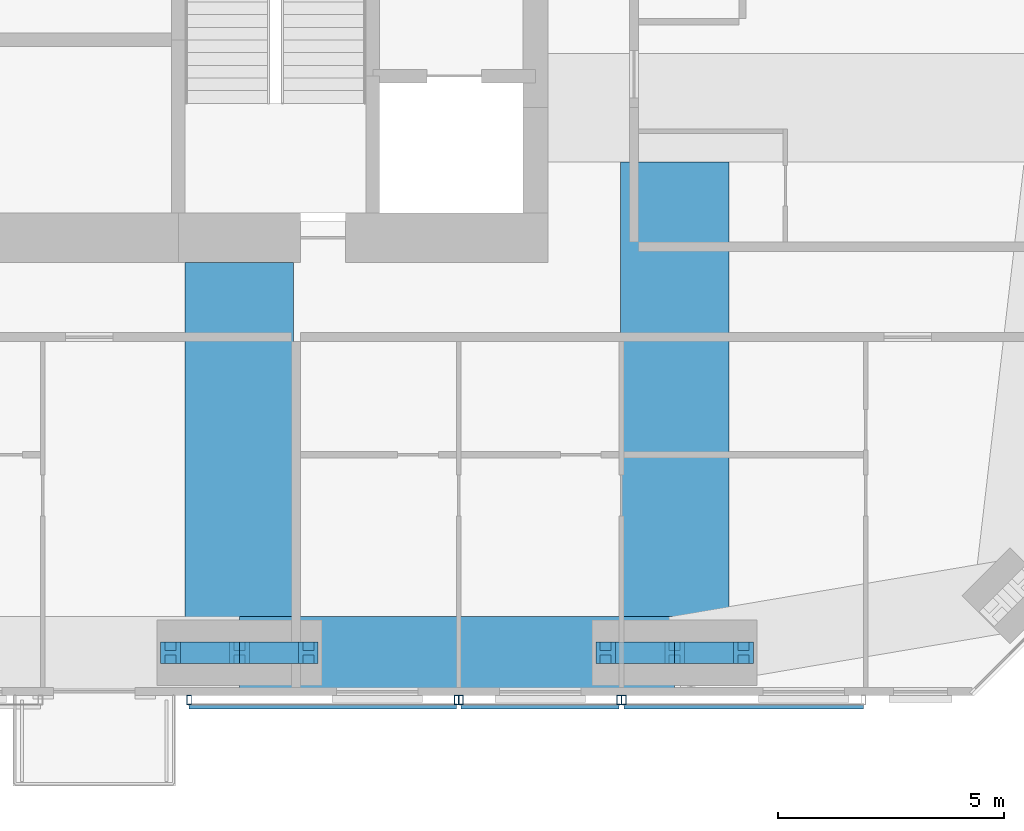
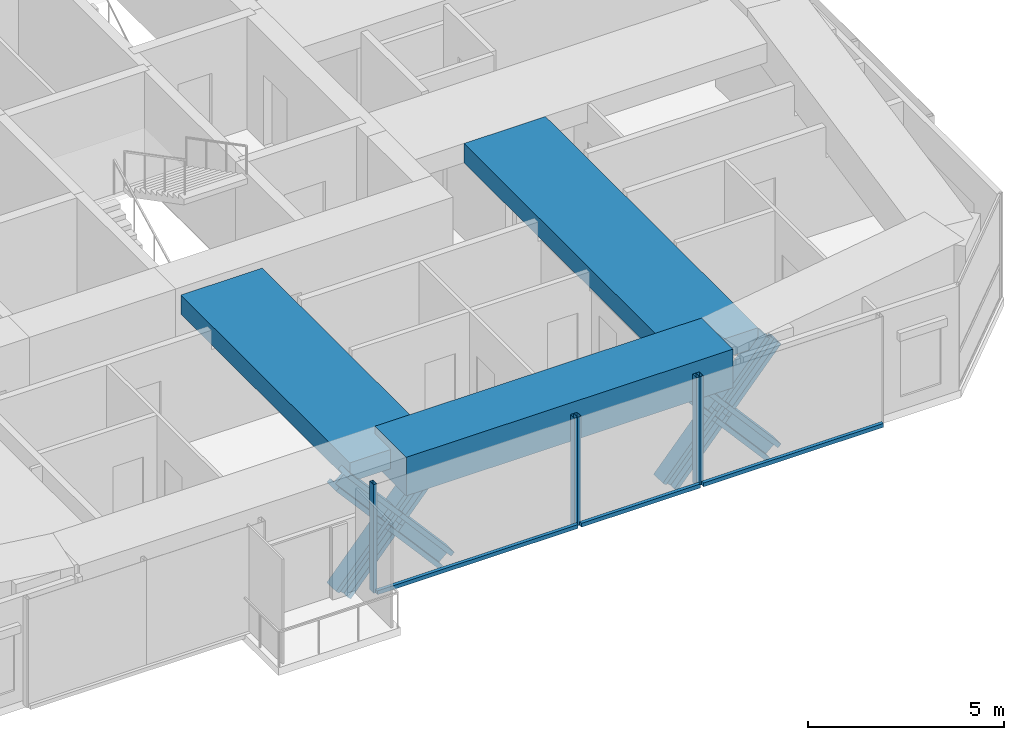
# One storey, part 4 of 18: 16 members, 3 beams, 3 elements without a shape of their own.
"""IFC4 building model written with IfcOpenShell, lengths in metres."""

from ifc_helpers import new_model, si_unit, direction, frame, origin, origin_2d, place, context, subcontext, project, spatial, rectangle, hollow_rectangle, i_section, extrude, material, material_profile, profile_set, type_object, element, aggregate, save


model = new_model("IFC4")

# Units and contexts
model_context = context("Model", 3, precision=1e-05, world=origin(), true_north=direction((0.0, 1.0)))
body_context = subcontext(model_context, "Body", "Model", "MODEL_VIEW")
ifc_project = project(units=[si_unit("LENGTHUNIT", "METRE"), si_unit("AREAUNIT", "SQUARE_METRE"), si_unit("VOLUMEUNIT", "CUBIC_METRE"), si_unit("PLANEANGLEUNIT", "RADIAN"), si_unit("MASSUNIT", "GRAM", prefix="KILO")], contexts=[model_context])

# Site, building, storey
site_placement = place(None, origin())
site = spatial("IfcSite", under=ifc_project, at=site_placement, CompositionType="ELEMENT")
building_placement = place(site_placement, origin())
building = spatial("IfcBuilding", under=site, at=building_placement, Name="Jalousie Tower", CompositionType="ELEMENT")
storey_placement = place(building_placement, frame((0.0, 0.0, 235.449951171875)))
storey = spatial("IfcBuildingStorey", under=building, at=storey_placement, Name="L64", CompositionType="ELEMENT", Elevation=235.449951171875)

# Members
ifc_material_1 = material(Name="Steel ASTM A992 Grade 50", Category="steel")
ifc_material_profile_1 = material_profile(ifc_material_1, i_section(OverallWidth=0.472412109375, OverallDepth=0.5791015625, WebThickness=0.094970703125, FlangeThickness=0.1298828125, at=origin_2d()), Name="W14X808")
ifc_profile_set_1 = profile_set([ifc_material_profile_1], Name="Steel ASTM A992 Grade 50")
member_type_1 = type_object("IfcMemberType", Name="PERIMETER BRACE W14X808", PredefinedType="BRACE", material=ifc_profile_set_1)
for number, where, z_axis, x_axis, name in (
    (1, (35.72509765625, 0.949951171875, -0.599853515625), (0.65695436777, 0.0, 0.753930340726), (0.0, 1.0, 0.0), "Perimeter brace 03 L64 part 1"),
    (2, (37.25, 0.949951171875, 1.150146484375), (0.65695436777, 0.0, 0.753930340726), (0.0, 1.0, 0.0), "Perimeter brace 03 L64 part 2"),
    (3, (38.77490234375, 0.949951171875, -0.599853515625), (-0.65695436777, 0.0, 0.753930340726), (0.0, -1.0, 0.0), "Perimeter brace 03 L64 part 3"),
    (4, (37.25, 0.949951171875, 1.150146484375), (-0.65695436777, 0.0, 0.753930340726), (0.0, -1.0, 0.0), "Perimeter brace 03 L64 part 4"),
    (5, (45.35009765625, 0.949951171875, -0.599853515625), (0.65695436777, 0.0, 0.753930340726), (0.0, 1.0, 0.0), "Perimeter brace 04 L64 part 1"),
    (6, (46.875, 0.949951171875, 1.150146484375), (0.65695436777, 0.0, 0.753930340726), (0.0, 1.0, 0.0), "Perimeter brace 04 L64 part 2"),
    (7, (48.39990234375, 0.949951171875, -0.599853515625), (-0.65695436777, 0.0, 0.753930340726), (0.0, -1.0, 0.0), "Perimeter brace 04 L64 part 3"),
    (8, (46.875, 0.949951171875, 1.150146484375), (-0.65695436777, 0.0, 0.753930340726), (0.0, -1.0, 0.0), "Perimeter brace 04 L64 part 4"),
):
    element("IfcMember", number, at=place(storey_placement, frame(where, z_axis=z_axis, x_axis=x_axis)), inside=storey, type_object=member_type_1, Name=name, PredefinedType="BRACE", context=body_context, shape_type="SweptSolid", body=[
        extrude(i_section(OverallWidth=0.472412109375, OverallDepth=0.5791015625, WebThickness=0.094970703125, FlangeThickness=0.1298828125, at=origin_2d()), origin(), (0.0, 0.0, 1.0), 2.3212890625),
    ])

# Beams
ifc_material_2 = material(Name="Concrete f'c 40 MPa", Category="concrete")
ifc_material_profile_2 = material_profile(ifc_material_2, rectangle(XDim=1.60009765625, YDim=1.199951171875, at=origin_2d()), Name="RC 1600x1200")
ifc_profile_set_2 = profile_set([ifc_material_profile_2], Name="Concrete f'c 40 MPa")
beam_type_1 = type_object("IfcBeamType", Name="RC BEAM 1600x1200", PredefinedType="BEAM", material=ifc_profile_set_2)
beam_1_placement = place(storey_placement, frame((37.25, 0.949951171875, 2.900146484375), z_axis=(1.0, 0.0, 0.0), x_axis=(0.0, 1.0, 0.0)))
element("IfcBeam", 9, at=beam_1_placement, inside=storey, type_object=beam_type_1, Name="Edge band beam 03-04 under L65", PredefinedType="BEAM", context=body_context, shape_type="SweptSolid", body=[
    extrude(rectangle(XDim=1.60009765625, YDim=1.199951171875, at=origin_2d()), origin(), (0.0, 0.0, 1.0), 9.625),
])
ifc_material_3 = material(Name="Concrete f'c 40 MPa", Category="concrete")
ifc_material_profile_3 = material_profile(ifc_material_3, rectangle(XDim=2.39990234375, YDim=0.60009765625, at=origin_2d()), Name="RC 2400x600")
ifc_profile_set_3 = profile_set([ifc_material_profile_3], Name="Concrete f'c 40 MPa")
beam_type_2 = type_object("IfcBeamType", Name="RC BEAM 2400x600", PredefinedType="BEAM", material=ifc_profile_set_3)
beam_2_placement = place(storey_placement, frame((37.25, 0.949951171875, 2.9599609375), z_axis=(0.0, 1.0, 0.0), x_axis=(-1.0, 0.0, 0.0)))
element("IfcBeam", 10, at=beam_2_placement, inside=storey, type_object=beam_type_2, Name="Floor band beam under L65", PredefinedType="BEAM", context=body_context, shape_type="SweptSolid", body=[
    extrude(rectangle(XDim=2.39990234375, YDim=0.60009765625, at=origin_2d()), origin(), (0.0, 0.0, 1.0), 8.625),
])
beam_3_placement = place(storey_placement, frame((46.875, 0.949951171875, 2.9599609375), z_axis=(0.0, 1.0, 0.0), x_axis=(-1.0, 0.0, 0.0)))
element("IfcBeam", 11, at=beam_3_placement, inside=storey, type_object=beam_type_2, Name="Floor band beam under L65", PredefinedType="BEAM", context=body_context, shape_type="SweptSolid", body=[
    extrude(rectangle(XDim=2.39990234375, YDim=0.60009765625, at=origin_2d()), origin(), (0.0, 0.0, 1.0), 10.85009765625),
])

# Curtain wall, members
ifc_material_4 = material(Name="Perforated aluminium sheet", Category="aluminium")
curtain_wall_type = type_object("IfcCurtainWallType", Name="SOLAR SCREEN SS-2", PredefinedType="USERDEFINED", material=ifc_material_4)
curtain_wall_1_placement = place(storey_placement, origin())
curtain_wall_1 = element("IfcCurtainWall", 12, at=curtain_wall_1_placement, inside=storey, type_object=curtain_wall_type, Name="Solar screen L64", ObjectType="SOLAR SCREEN SS-2", PredefinedType="USERDEFINED")
ifc_material_5 = material(Name="Steel ASTM A500 Grade C", Category="steel")
ifc_material_profile_4 = material_profile(ifc_material_5, hollow_rectangle(XDim=0.1015625, YDim=0.203125, WallThickness=0.0078125, at=origin_2d()), Name="HSS8X4X5/16")
ifc_profile_set_4 = profile_set([ifc_material_profile_4], Name="Steel ASTM A500 Grade C")
member_type_2 = type_object("IfcMemberType", Name="SOLAR SCREEN SS-2 MULLION", PredefinedType="MULLION", material=ifc_profile_set_4)
member_1_placement = place(storey_placement, frame((36.139892578125, -0.0966796875, -0.119873046875), z_axis=(0.0, 0.0, 1.0), x_axis=(1.0, 0.0, 0.0)))
member_1 = element("IfcMember", 13, at=member_1_placement, type_object=member_type_2, Name="SS2 post 1", PredefinedType="MULLION", context=body_context, shape_type="SweptSolid", body=[
    extrude(hollow_rectangle(XDim=0.1015625, YDim=0.203125, WallThickness=0.0078125, at=origin_2d()), origin(), (0.0, 0.0, 1.0), 3.3798828125),
])
member_2_placement = place(storey_placement, frame((42.050048828125, -0.0966796875, -0.119873046875), z_axis=(0.0, 0.0, 1.0), x_axis=(1.0, 0.0, 0.0)))
member_2 = element("IfcMember", 14, at=member_2_placement, type_object=member_type_2, Name="SS2 post 2", PredefinedType="MULLION", context=body_context, shape_type="SweptSolid", body=[
    extrude(hollow_rectangle(XDim=0.1015625, YDim=0.203125, WallThickness=0.0078125, at=origin_2d()), origin(), (0.0, 0.0, 1.0), 3.3798828125),
])

curtain_wall_2_placement = place(storey_placement, origin())
curtain_wall_2 = element("IfcCurtainWall", 15, at=curtain_wall_2_placement, inside=storey, type_object=curtain_wall_type, Name="Solar screen L64", ObjectType="SOLAR SCREEN SS-2", PredefinedType="USERDEFINED")
member_3_placement = place(storey_placement, frame((42.14990234375, -0.0966796875, -0.119873046875), z_axis=(0.0, 0.0, 1.0), x_axis=(1.0, 0.0, 0.0)))
member_3 = element("IfcMember", 16, at=member_3_placement, type_object=member_type_2, Name="SS2 post 1", PredefinedType="MULLION", context=body_context, shape_type="SweptSolid", body=[
    extrude(hollow_rectangle(XDim=0.1015625, YDim=0.203125, WallThickness=0.0078125, at=origin_2d()), origin(), (0.0, 0.0, 1.0), 3.3798828125),
])
member_4_placement = place(storey_placement, frame((45.64990234375, -0.0966796875, -0.119873046875), z_axis=(0.0, 0.0, 1.0), x_axis=(1.0, 0.0, 0.0)))
member_4 = element("IfcMember", 17, at=member_4_placement, type_object=member_type_2, Name="SS2 post 2", PredefinedType="MULLION", context=body_context, shape_type="SweptSolid", body=[
    extrude(hollow_rectangle(XDim=0.1015625, YDim=0.203125, WallThickness=0.0078125, at=origin_2d()), origin(), (0.0, 0.0, 1.0), 3.3798828125),
])

# Curtain wall, member
curtain_wall_3_placement = place(storey_placement, origin())
curtain_wall_3 = element("IfcCurtainWall", 18, at=curtain_wall_3_placement, inside=storey, type_object=curtain_wall_type, Name="Solar screen L64", ObjectType="SOLAR SCREEN SS-2", PredefinedType="USERDEFINED")
member_5_placement = place(storey_placement, frame((45.75, -0.0966796875, -0.119873046875), z_axis=(0.0, 0.0, 1.0), x_axis=(1.0, 0.0, 0.0)))
member_5 = element("IfcMember", 19, at=member_5_placement, type_object=member_type_2, Name="SS2 post 1", PredefinedType="MULLION", context=body_context, shape_type="SweptSolid", body=[
    extrude(hollow_rectangle(XDim=0.1015625, YDim=0.203125, WallThickness=0.0078125, at=origin_2d()), origin(), (0.0, 0.0, 1.0), 3.3798828125),
])

# Member
ifc_material_6 = material(Name="Extruded aluminium screen rail", Category="aluminium")
ifc_material_profile_5 = material_profile(ifc_material_6, rectangle(XDim=0.1015625, YDim=0.1201171875, at=origin_2d()), Name="RAIL 102x120")
ifc_profile_set_5 = profile_set([ifc_material_profile_5], Name="Extruded aluminium screen rail")
member_type_3 = type_object("IfcMemberType", Name="SOLAR SCREEN SS-2 TRANSOM", PredefinedType="USERDEFINED", material=ifc_profile_set_5)
member_6_placement = place(storey_placement, frame((36.139892578125, -0.2490234375, -0.06005859375), z_axis=(1.0, 0.0, 0.0), x_axis=(0.0, 1.0, 0.0)))
member_6 = element("IfcMember", 20, at=member_6_placement, type_object=member_type_3, Name="SS2 rail", ObjectType="TRANSOM", PredefinedType="USERDEFINED", context=body_context, shape_type="SweptSolid", body=[
    extrude(rectangle(XDim=0.1015625, YDim=0.1201171875, at=origin_2d()), origin(), (0.0, 0.0, 1.0), 5.91015625),
])

aggregate(curtain_wall_1, [member_1, member_2, member_6])

member_7_placement = place(storey_placement, frame((42.14990234375, -0.2490234375, -0.06005859375), z_axis=(1.0, 0.0, 0.0), x_axis=(0.0, 1.0, 0.0)))
member_7 = element("IfcMember", 21, at=member_7_placement, type_object=member_type_3, Name="SS2 rail", ObjectType="TRANSOM", PredefinedType="USERDEFINED", context=body_context, shape_type="SweptSolid", body=[
    extrude(rectangle(XDim=0.1015625, YDim=0.1201171875, at=origin_2d()), origin(), (0.0, 0.0, 1.0), 3.5),
])

aggregate(curtain_wall_2, [member_3, member_4, member_7])

member_8_placement = place(storey_placement, frame((45.75, -0.2490234375, -0.06005859375), z_axis=(1.0, 0.0, 0.0), x_axis=(0.0, 1.0, 0.0)))
member_8 = element("IfcMember", 22, at=member_8_placement, type_object=member_type_3, Name="SS2 rail", ObjectType="TRANSOM", PredefinedType="USERDEFINED", context=body_context, shape_type="SweptSolid", body=[
    extrude(rectangle(XDim=0.1015625, YDim=0.1201171875, at=origin_2d()), origin(), (0.0, 0.0, 1.0), 5.300048828125),
])

aggregate(curtain_wall_3, [member_5, member_8])

save(model, "model.ifc")
